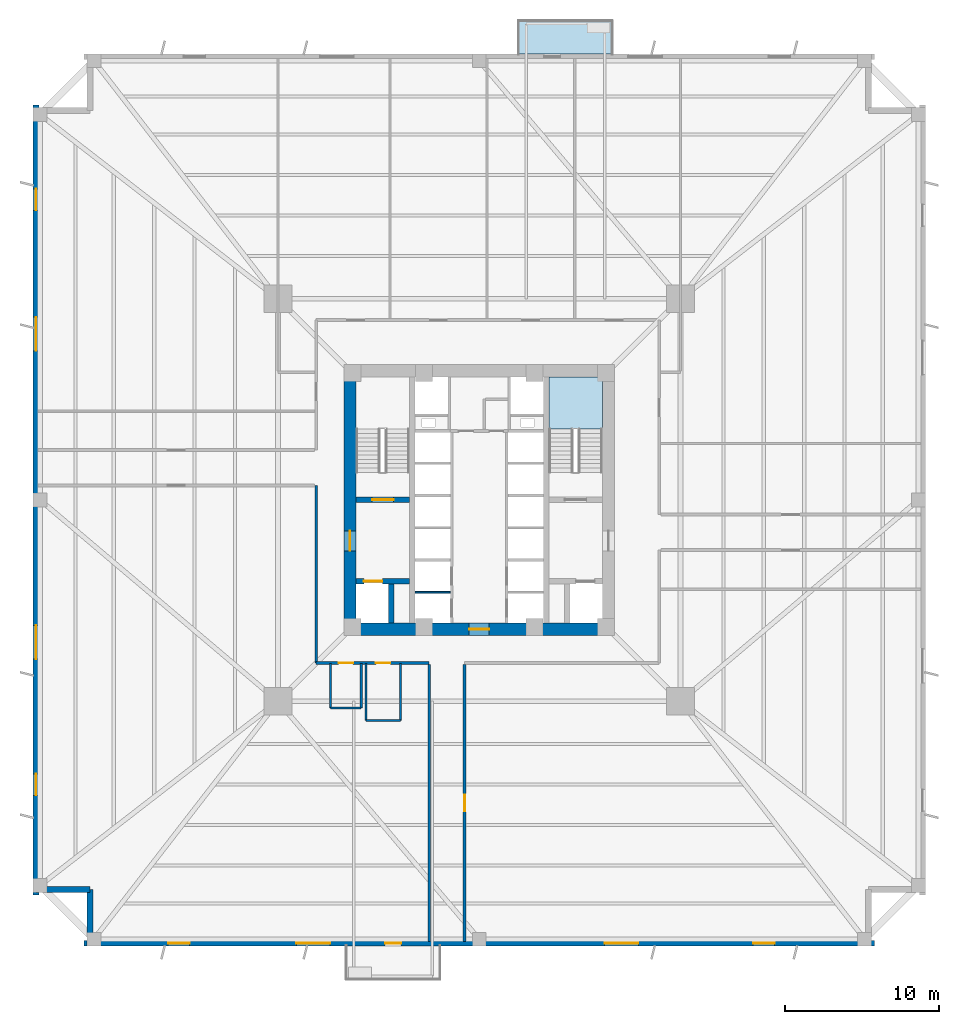
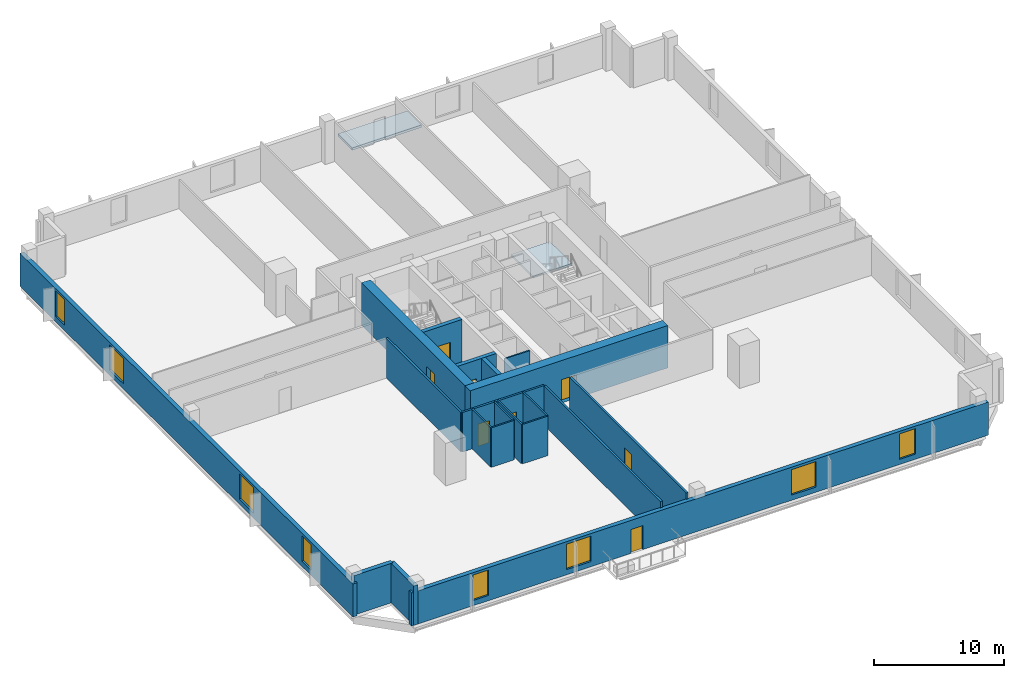
# One storey, part 2 of 8: 20 walls, 8 doors, 8 windows, 2 slabs, 16 openings, 1 element without a shape of its own.
"""IFC4 building model written with IfcOpenShell, lengths in metres."""

from ifc_helpers import new_model, si_unit, direction, frame, frame_2d, origin, place, context, subcontext, project, spatial, polyline, rectangle, outline, extrude, source, transform, mapped, material, layer, layer_set, type_object, element, fill, aggregate, save


model = new_model("IFC4")

# Units and contexts
model_context = context("Model", 3, precision=1e-05, world=origin(), true_north=direction((0.0, 1.0)))
body_context = subcontext(model_context, "Body", "Model", "MODEL_VIEW")
ifc_project = project(units=[si_unit("LENGTHUNIT", "METRE"), si_unit("AREAUNIT", "SQUARE_METRE"), si_unit("VOLUMEUNIT", "CUBIC_METRE"), si_unit("PLANEANGLEUNIT", "RADIAN"), si_unit("MASSUNIT", "GRAM", prefix="KILO"), si_unit("THERMODYNAMICTEMPERATUREUNIT", "KELVIN")], contexts=[model_context])

# Site, building, storey
site_placement = place(None, origin())
site = spatial("IfcSite", under=ifc_project, at=site_placement, CompositionType="ELEMENT")
building_placement = place(site_placement, origin())
building = spatial("IfcBuilding", under=site, at=building_placement, Name="Kosmvard Interchange Tower", CompositionType="ELEMENT")
storey_placement = place(building_placement, frame((0.0, 0.0, 42.0)))
storey = spatial("IfcBuildingStorey", under=building, at=storey_placement, Name="L09", CompositionType="ELEMENT", Elevation=42.0)

# Stair, slab
ifc_material_1 = material(Name="Concrete C50/60", Category="concrete")
stair_type = type_object("IfcStairType", Name="Dog-Leg Core Exit Stair H4000 C50/60", PredefinedType="HALF_TURN_STAIR", material=ifc_material_1)
stair_placement = place(storey_placement, origin())
stair = element("IfcStair", 1, at=stair_placement, inside=storey, type_object=stair_type, Name="L09 Protected Exit Stair ST-2", PredefinedType="HALF_TURN_STAIR")
ifc_layer_1 = layer(ifc_material_1, 0.199951171875, Name="Concrete C50/60")
ifc_layer_set_1 = layer_set([ifc_layer_1], Name="Concrete C50/60")
slab_type_1 = type_object("IfcSlabType", Name="Stair Half-Landing Slab 200 C50/60", PredefinedType="LANDING", material=ifc_layer_set_1)
slab_1_placement = place(storey_placement, frame((0.0, 0.0, 1.800048828125)))
slab_1 = element("IfcSlab", 2, at=slab_1_placement, type_object=slab_type_1, Name="ST-2 landing 1", PredefinedType="LANDING", context=body_context, shape_type="SweptSolid", body=[
    extrude(outline(polyline([(8.0, 4.60009765625), (8.0, 8.0), (4.5400390625, 8.0), (4.5400390625, 4.60009765625), (8.0, 4.60009765625)])), origin(), (0.0, 0.0, 1.0), 0.199951171875),
])
aggregate(stair, [slab_1])

# Slab
ifc_layer_2 = layer(ifc_material_1, 0.22998046875, Name="Concrete C50/60")
ifc_layer_set_2 = layer_set([ifc_layer_2], Name="Concrete C50/60")
slab_type_2 = type_object("IfcSlabType", Name="Tree-Planter Cantilever Balcony Slab 230 C50/60", PredefinedType="FLOOR", material=ifc_layer_set_2)
slab_2_placement = place(storey_placement, frame((0.0, 0.0, -0.22998046875)))
element("IfcSlab", 3, at=slab_2_placement, inside=storey, type_object=slab_type_2, Name="L09 Outdoor Terrace Balcony Slab BAL-L09-N", PredefinedType="FLOOR", context=body_context, shape_type="SweptSolid", body=[
    extrude(outline(polyline([(2.5, 29.0), (8.699951171875, 29.0), (8.699951171875, 31.199951171875), (2.5, 31.199951171875), (2.5, 29.0)])), origin(), (0.0, 0.0, 1.0), 0.22998046875),
])

# Wall, openings, doors
ifc_material_2 = material(Name="Fire-rated gypsum partition system")
ifc_layer_3 = layer(ifc_material_2, 0.179931640625, Name="Fire-rated gypsum partition system")
ifc_layer_set_3 = layer_set([ifc_layer_3], Name="Fire-rated gypsum partition system")
wall_type_1 = type_object("IfcWallType", Name="Corridor & Hotel Compartment Partition 180", PredefinedType="PARTITIONING", material=ifc_layer_set_3)
wall_1_placement = place(storey_placement, frame((-10.60009765625, -10.60009765625, 0.0), z_axis=(0.0, 0.0, 1.0), x_axis=(1.0, 0.0, 0.0)))
wall_1 = element("IfcWall", 4, at=wall_1_placement, inside=storey, type_object=wall_type_1, Name="L09 Corridor Wall CSW", PredefinedType="PARTITIONING", context=body_context, shape_type="SweptSolid", body=[
    extrude(rectangle(XDim=7.35009765625, YDim=0.179931640625, at=frame_2d((3.675048828125, 0.0))), origin(), (0.0, 0.0, 1.0), 3.719970703125),
])
opening_1_placement = place(wall_1_placement, frame((1.455078125, 0.0, 0.0)))
opening_1 = element("IfcOpeningElement", 5, at=opening_1_placement, cuts=wall_1, Name="Opening L09-D01", PredefinedType="OPENING", context=body_context, shape_type="SweptSolid", body=[
    extrude(rectangle(XDim=0.949951171875, YDim=2.10009765625, at=frame_2d((0.47509765625, 1.050048828125))), frame((0.0, 0.10009765625, 0.0), z_axis=(0.0, -1.0, 0.0), x_axis=(1.0, 0.0, 0.0)), (0.0, 0.0, 1.0), 0.199951171875),
])
opening_2_placement = place(wall_1_placement, frame((3.879150390625, 0.0, 0.0)))
opening_2 = element("IfcOpeningElement", 6, at=opening_2_placement, cuts=wall_1, Name="Opening L09-D02", PredefinedType="OPENING", context=body_context, shape_type="SweptSolid", body=[
    extrude(rectangle(XDim=0.949951171875, YDim=2.10009765625, at=frame_2d((0.47509765625, 1.050048828125))), frame((0.0, 0.10009765625, 0.0), z_axis=(0.0, -1.0, 0.0), x_axis=(1.0, 0.0, 0.0)), (0.0, 0.0, 1.0), 0.199951171875),
])
ifc_material_3 = material(Name="Laminated moisture-resistant timber", Category="wood")
door_type_1 = type_object("IfcDoorType", Name="Accessible Washroom Door 950x2100", OperationType="NOTDEFINED", PredefinedType="DOOR", material=ifc_material_3)
shared_shape_1 = source(origin(), body_context, "Body", "SweptSolid", [
    extrude(rectangle(XDim=0.949951171875, YDim=2.10009765625, at=frame_2d((0.47509765625, 1.050048828125))), frame((0.0, 0.02490234375, 0.0), z_axis=(0.0, -1.0, 0.0), x_axis=(1.0, 0.0, 0.0)), (0.0, 0.0, 1.0), 0.050048828125),
])
door_1_placement = place(opening_1_placement, frame((0.949951171875, 0.0, 0.0), z_axis=(0.0, 0.0, 1.0), x_axis=(-1.0, 0.0, 0.0)))
door_1 = element("IfcDoor", 7, at=door_1_placement, inside=storey, type_object=door_type_1, Name="L09 Accessible Toilet Door", OperationType="SINGLE_SWING_LEFT", OverallHeight=2.10009765625, OverallWidth=0.949951171875, PredefinedType="DOOR", context=body_context, shape_type="MappedRepresentation", body=[
    mapped(shared_shape_1, transform((0.0, 0.0, 0.0), scale=1.0)),
])
fill(opening_1, door_1)
door_2_placement = place(opening_2_placement, frame((0.949951171875, 0.0, 0.0), z_axis=(0.0, 0.0, 1.0), x_axis=(-1.0, 0.0, 0.0)))
door_2 = element("IfcDoor", 8, at=door_2_placement, inside=storey, type_object=door_type_1, Name="L09 Public Floor Washroom Door", OperationType="SINGLE_SWING_RIGHT", OverallHeight=2.10009765625, OverallWidth=0.949951171875, PredefinedType="DOOR", context=body_context, shape_type="MappedRepresentation", body=[
    mapped(shared_shape_1, transform((0.0, 0.0, 0.0), scale=1.0)),
])
fill(opening_2, door_2)

# Walls
wall_2_placement = place(storey_placement, frame((-10.60009765625, -10.60009765625, 0.0), z_axis=(0.0, 0.0, 1.0), x_axis=(0.0, 1.0, 0.0)))
element("IfcWall", 9, at=wall_2_placement, inside=storey, type_object=wall_type_1, Name="L09 Corridor Wall CWS", PredefinedType="PARTITIONING", context=body_context, shape_type="SweptSolid", body=[
    extrude(rectangle(XDim=11.550048828125, YDim=0.179931640625, at=frame_2d((5.77490234375, 0.0))), origin(), (0.0, 0.0, 1.0), 3.719970703125),
])
wall_3_placement = place(storey_placement, frame((-3.25, -28.68505859375, 0.0), z_axis=(0.0, 0.0, 1.0), x_axis=(0.0, 1.0, 0.0)))
element("IfcWall", 10, at=wall_3_placement, inside=storey, type_object=wall_type_1, Name="L09 Corridor Wall SSW", PredefinedType="PARTITIONING", context=body_context, shape_type="SweptSolid", body=[
    extrude(rectangle(XDim=17.985107421875, YDim=0.179931640625, at=frame_2d((8.99267578125, 0.0))), origin(), (0.0, 0.0, 1.0), 3.719970703125),
])

# Wall, opening, door
wall_4_placement = place(storey_placement, frame((-0.949951171875, -28.68505859375, 0.0), z_axis=(0.0, 0.0, 1.0), x_axis=(0.0, 1.0, 0.0)))
wall_4 = element("IfcWall", 11, at=wall_4_placement, inside=storey, type_object=wall_type_1, Name="L09 Corridor Wall SSE", PredefinedType="PARTITIONING", context=body_context, shape_type="SweptSolid", body=[
    extrude(rectangle(XDim=17.985107421875, YDim=0.179931640625, at=frame_2d((8.99267578125, 0.0))), origin(), (0.0, 0.0, 1.0), 3.719970703125),
])
opening_3_placement = place(wall_4_placement, frame((8.4423828125, 0.0, 0.0)))
opening_3 = element("IfcOpeningElement", 12, at=opening_3_placement, cuts=wall_4, Name="Opening L09-D12", PredefinedType="OPENING", context=body_context, shape_type="SweptSolid", body=[
    extrude(rectangle(XDim=1.10009765625, YDim=2.199951171875, at=frame_2d((0.550048828125, 1.10009765625))), frame((0.0, 0.10009765625, 0.0), z_axis=(0.0, -1.0, 0.0), x_axis=(1.0, 0.0, 0.0)), (0.0, 0.0, 1.0), 0.199951171875),
])
ifc_material_4 = material(Name="Engineered oak fire-rated timber", Category="wood")
door_type_2 = type_object("IfcDoorType", Name="Office Suite Entrance Door 1100x2200 FD30S", OperationType="NOTDEFINED", PredefinedType="DOOR", material=ifc_material_4)
shared_shape_2 = source(origin(), body_context, "Body", "SweptSolid", [
    extrude(rectangle(XDim=1.10009765625, YDim=2.199951171875, at=frame_2d((0.550048828125, 1.10009765625))), frame((0.0, 0.02490234375, 0.0), z_axis=(0.0, -1.0, 0.0), x_axis=(1.0, 0.0, 0.0)), (0.0, 0.0, 1.0), 0.050048828125),
])
door_3_placement = place(opening_3_placement, frame((1.10009765625, 0.0, 0.0), z_axis=(0.0, 0.0, 1.0), x_axis=(-1.0, 0.0, 0.0)))
door_3 = element("IfcDoor", 13, at=door_3_placement, inside=storey, type_object=door_type_2, Name="L09 South-East Open Studio Door", OperationType="SINGLE_SWING_RIGHT", OverallHeight=2.199951171875, OverallWidth=1.10009765625, PredefinedType="DOOR", context=body_context, shape_type="MappedRepresentation", body=[
    mapped(shared_shape_2, transform((0.0, 0.0, 0.0), scale=1.0)),
])
fill(opening_3, door_3)

ifc_material_5 = material(Name="Concrete C80/95", Category="concrete")
ifc_layer_4 = layer(ifc_material_5, 0.800048828125, Name="Concrete C80/95")
ifc_layer_set_4 = layer_set([ifc_layer_4], Name="Concrete C80/95")
wall_type_2 = type_object("IfcWallType", Name="Lower Core Shear Wall 800 C80/95", PredefinedType="SHEAR", material=ifc_layer_set_4)
wall_5_placement = place(storey_placement, frame((-8.800048828125, -8.39990234375, 0.0), z_axis=(0.0, 0.0, 1.0), x_axis=(1.0, 0.0, 0.0)))
wall_5 = element("IfcWall", 14, at=wall_5_placement, inside=storey, type_object=wall_type_2, Name="L09 Core Shear Wall CW-S", PredefinedType="SHEAR", context=body_context, shape_type="SweptSolid", body=[
    extrude(rectangle(XDim=17.60009765625, YDim=0.800048828125, at=frame_2d((8.800048828125, 0.0))), origin(), (0.0, 0.0, 1.0), 4.0),
])
opening_4_placement = place(wall_5_placement, frame((8.14990234375, 0.0, 0.0)))
opening_4 = element("IfcOpeningElement", 15, at=opening_4_placement, cuts=wall_5, Name="Opening L09-LD0", PredefinedType="OPENING", context=body_context, shape_type="SweptSolid", body=[
    extrude(rectangle(XDim=1.300048828125, YDim=2.199951171875, at=frame_2d((0.64990234375, 1.10009765625))), frame((0.0, 0.41015625, 0.0), z_axis=(0.0, -1.0, 0.0), x_axis=(1.0, 0.0, 0.0)), (0.0, 0.0, 1.0), 0.820068359375),
])
ifc_material_6 = material(Name="Painted fire-rated steel leaf", Category="steel")
door_type_3 = type_object("IfcDoorType", Name="Firefighting Lobby Door 1300x2200 EI60", OperationType="NOTDEFINED", PredefinedType="DOOR", material=ifc_material_6)
shared_shape_3 = source(origin(), body_context, "Body", "SweptSolid", [
    extrude(rectangle(XDim=1.300048828125, YDim=2.199951171875, at=frame_2d((0.64990234375, 1.10009765625))), frame((0.0, 0.02490234375, 0.0), z_axis=(0.0, -1.0, 0.0), x_axis=(1.0, 0.0, 0.0)), (0.0, 0.0, 1.0), 0.050048828125),
])
door_4_placement = place(opening_4_placement, frame((1.300048828125, 0.0, 0.0), z_axis=(0.0, 0.0, 1.0), x_axis=(-1.0, 0.0, 0.0)))
door_4 = element("IfcDoor", 16, at=door_4_placement, inside=storey, type_object=door_type_3, Name="L09 Passenger Lift Lobby South Door", OperationType="SINGLE_SWING_RIGHT", OverallHeight=2.199951171875, OverallWidth=1.300048828125, PredefinedType="DOOR", context=body_context, shape_type="MappedRepresentation", body=[
    mapped(shared_shape_3, transform((0.0, 0.0, 0.0), scale=1.0)),
])
fill(opening_4, door_4)

wall_6_placement = place(storey_placement, frame((-8.39990234375, -8.0, 0.0), z_axis=(0.0, 0.0, 1.0), x_axis=(0.0, 1.0, 0.0)))
wall_6 = element("IfcWall", 17, at=wall_6_placement, inside=storey, type_object=wall_type_2, Name="L09 Core Shear Wall CW-W", PredefinedType="SHEAR", context=body_context, shape_type="SweptSolid", body=[
    extrude(rectangle(XDim=16.0, YDim=0.800048828125, at=frame_2d((8.0, 0.0))), origin(), (0.0, 0.0, 1.0), 4.0),
])
opening_5_placement = place(wall_6_placement, frame((4.68994140625, 0.0, 0.0)))
opening_5 = element("IfcOpeningElement", 18, at=opening_5_placement, cuts=wall_6, Name="Opening L09-FD1", PredefinedType="OPENING", context=body_context, shape_type="SweptSolid", body=[
    extrude(rectangle(XDim=1.300048828125, YDim=2.199951171875, at=frame_2d((0.64990234375, 1.10009765625))), frame((0.0, 0.41015625, 0.0), z_axis=(0.0, -1.0, 0.0), x_axis=(1.0, 0.0, 0.0)), (0.0, 0.0, 1.0), 0.820068359375),
])
door_5_placement = place(opening_5_placement, frame((1.300048828125, 0.0, 0.0), z_axis=(0.0, 0.0, 1.0), x_axis=(-1.0, 0.0, 0.0)))
door_5 = element("IfcDoor", 19, at=door_5_placement, inside=storey, type_object=door_type_3, Name="L09 Firefighting Lobby West Door", OperationType="SINGLE_SWING_LEFT", OverallHeight=2.199951171875, OverallWidth=1.300048828125, PredefinedType="DOOR", context=body_context, shape_type="MappedRepresentation", body=[
    mapped(shared_shape_3, transform((0.0, 0.0, 0.0), scale=1.0)),
])
fill(opening_5, door_5)

# Wall, openings, door, windows
ifc_material_7 = material(Name="Precast concrete C45/55", Category="concrete")
ifc_layer_5 = layer(ifc_material_7, 0.3798828125, Name="Precast concrete C45/55")
ifc_layer_set_5 = layer_set([ifc_layer_5], Name="Precast concrete C45/55")
wall_type_3 = type_object("IfcWallType", Name="Lower Tower Precast Pier Wall 380 C45/55", PredefinedType="STANDARD", material=ifc_layer_set_5)
wall_7_placement = place(storey_placement, frame((-25.68994140625, -28.81005859375, 0.0), z_axis=(0.0, 0.0, 1.0), x_axis=(1.0, 0.0, 0.0)))
wall_7 = element("IfcWall", 20, at=wall_7_placement, inside=storey, type_object=wall_type_3, Name="L09 Precast Facade Wall F-S", PredefinedType="STANDARD", context=body_context, shape_type="SweptSolid", body=[
    extrude(rectangle(XDim=51.3798828125, YDim=0.3798828125, at=frame_2d((25.68994140625, 0.0))), origin(), (0.0, 0.0, 1.0), 3.1201171875),
])
opening_6_placement = place(wall_7_placement, frame((19.56494140625, 0.0, 0.0)))
opening_6 = element("IfcOpeningElement", 21, at=opening_6_placement, cuts=wall_7, Name="Opening L09-BDS", PredefinedType="OPENING", context=body_context, shape_type="SweptSolid", body=[
    extrude(rectangle(XDim=1.050048828125, YDim=2.25, at=frame_2d((0.52490234375, 1.125))), frame((0.0, 0.199951171875, 0.0), z_axis=(0.0, -1.0, 0.0), x_axis=(1.0, 0.0, 0.0)), (0.0, 0.0, 1.0), 0.39990234375),
])
opening_7_placement = place(wall_7_placement, frame((5.465576171875, 0.0, 0.489990234375)))
opening_7 = element("IfcOpeningElement", 22, at=opening_7_placement, cuts=wall_7, Name="Opening L09-W01", PredefinedType="OPENING", context=body_context, shape_type="SweptSolid", body=[
    extrude(rectangle(XDim=1.39990234375, YDim=2.39990234375, at=frame_2d((0.699951171875, 1.199951171875))), frame((0.0, 0.199951171875, 0.0), z_axis=(0.0, -1.0, 0.0), x_axis=(1.0, 0.0, 0.0)), (0.0, 0.0, 1.0), 0.39990234375),
])
opening_8_placement = place(wall_7_placement, frame((13.80029296875, 0.0, 0.489990234375)))
opening_8 = element("IfcOpeningElement", 23, at=opening_8_placement, cuts=wall_7, Name="Opening L09-W02", PredefinedType="OPENING", context=body_context, shape_type="SweptSolid", body=[
    extrude(rectangle(XDim=2.199951171875, YDim=2.39990234375, at=frame_2d((1.10009765625, 1.199951171875))), frame((0.0, 0.199951171875, 0.0), z_axis=(0.0, -1.0, 0.0), x_axis=(1.0, 0.0, 0.0)), (0.0, 0.0, 1.0), 0.39990234375),
])
opening_9_placement = place(wall_7_placement, frame((33.83837890625, 0.0, 0.489990234375)))
opening_9 = element("IfcOpeningElement", 24, at=opening_9_placement, cuts=wall_7, Name="Opening L09-W03", PredefinedType="OPENING", context=body_context, shape_type="SweptSolid", body=[
    extrude(rectangle(XDim=2.199951171875, YDim=2.39990234375, at=frame_2d((1.10009765625, 1.199951171875))), frame((0.0, 0.199951171875, 0.0), z_axis=(0.0, -1.0, 0.0), x_axis=(1.0, 0.0, 0.0)), (0.0, 0.0, 1.0), 0.39990234375),
])
opening_10_placement = place(wall_7_placement, frame((43.48681640625, 0.0, 0.489990234375)))
opening_10 = element("IfcOpeningElement", 25, at=opening_10_placement, cuts=wall_7, Name="Opening L09-W04", PredefinedType="OPENING", context=body_context, shape_type="SweptSolid", body=[
    extrude(rectangle(XDim=1.39990234375, YDim=2.39990234375, at=frame_2d((0.699951171875, 1.199951171875))), frame((0.0, 0.199951171875, 0.0), z_axis=(0.0, -1.0, 0.0), x_axis=(1.0, 0.0, 0.0)), (0.0, 0.0, 1.0), 0.39990234375),
])
ifc_material_8 = material(Name="Anodised aluminium and safety glass", Category="aluminium")
door_type_4 = type_object("IfcDoorType", Name="Tree-Balcony Glazed Door 1050x2250", OperationType="NOTDEFINED", PredefinedType="DOOR", material=ifc_material_8)
shared_shape_4 = source(origin(), body_context, "Body", "SweptSolid", [
    extrude(rectangle(XDim=1.050048828125, YDim=2.25, at=frame_2d((0.52490234375, 1.125))), frame((0.0, 0.02490234375, 0.0), z_axis=(0.0, -1.0, 0.0), x_axis=(1.0, 0.0, 0.0)), (0.0, 0.0, 1.0), 0.050048828125),
])
door_6_placement = place(opening_6_placement, origin())
door_6 = element("IfcDoor", 26, at=door_6_placement, inside=storey, type_object=door_type_4, Name="L09 Tree-Balcony Door BAL-L09-S", OperationType="SINGLE_SWING_RIGHT", OverallHeight=2.25, OverallWidth=1.050048828125, PredefinedType="DOOR", context=body_context, shape_type="MappedRepresentation", body=[
    mapped(shared_shape_4, transform((0.0, 0.0, 0.0), scale=1.0)),
])
fill(opening_6, door_6)
ifc_material_9 = material(Name="Low-E solar-control double glazing", Category="glass")
window_type_1 = type_object("IfcWindowType", Name="Notched Corner Feature Window 1400x2400", PartitioningType="SINGLE_PANEL", PredefinedType="WINDOW", material=ifc_material_9)
shared_shape_5 = source(origin(), body_context, "Body", "SweptSolid", [
    extrude(rectangle(XDim=1.39990234375, YDim=2.39990234375, at=frame_2d((0.699951171875, 1.199951171875))), frame((0.0, 0.030029296875, 0.0), z_axis=(0.0, -1.0, 0.0), x_axis=(1.0, 0.0, 0.0)), (0.0, 0.0, 1.0), 0.06005859375),
])
window_1_placement = place(opening_7_placement, origin())
window_1 = element("IfcWindow", 27, at=window_1_placement, inside=storey, type_object=window_type_1, Name="L09 Facade Punched Window 01", OverallHeight=2.39990234375, OverallWidth=1.39990234375, PartitioningType="SINGLE_PANEL", PredefinedType="WINDOW", context=body_context, shape_type="MappedRepresentation", body=[
    mapped(shared_shape_5, transform((0.0, 0.0, 0.0), scale=1.0)),
])
fill(opening_7, window_1)
window_2_placement = place(opening_10_placement, origin())
window_2 = element("IfcWindow", 28, at=window_2_placement, inside=storey, type_object=window_type_1, Name="L09 Facade Punched Window 04", OverallHeight=2.39990234375, OverallWidth=1.39990234375, PartitioningType="SINGLE_PANEL", PredefinedType="WINDOW", context=body_context, shape_type="MappedRepresentation", body=[
    mapped(shared_shape_5, transform((0.0, 0.0, 0.0), scale=1.0)),
])
fill(opening_10, window_2)
window_type_2 = type_object("IfcWindowType", Name="Zone 1 Office Punched Window 2200x2400", PartitioningType="SINGLE_PANEL", PredefinedType="WINDOW", material=ifc_material_9)
shared_shape_6 = source(origin(), body_context, "Body", "SweptSolid", [
    extrude(rectangle(XDim=2.199951171875, YDim=2.39990234375, at=frame_2d((1.10009765625, 1.199951171875))), frame((0.0, 0.030029296875, 0.0), z_axis=(0.0, -1.0, 0.0), x_axis=(1.0, 0.0, 0.0)), (0.0, 0.0, 1.0), 0.06005859375),
])
window_3_placement = place(opening_8_placement, origin())
window_3 = element("IfcWindow", 29, at=window_3_placement, inside=storey, type_object=window_type_2, Name="L09 Facade Punched Window 02", OverallHeight=2.39990234375, OverallWidth=2.199951171875, PartitioningType="SINGLE_PANEL", PredefinedType="WINDOW", context=body_context, shape_type="MappedRepresentation", body=[
    mapped(shared_shape_6, transform((0.0, 0.0, 0.0), scale=1.0)),
])
fill(opening_8, window_3)
window_4_placement = place(opening_9_placement, origin())
window_4 = element("IfcWindow", 30, at=window_4_placement, inside=storey, type_object=window_type_2, Name="L09 Facade Punched Window 03", OverallHeight=2.39990234375, OverallWidth=2.199951171875, PartitioningType="SINGLE_PANEL", PredefinedType="WINDOW", context=body_context, shape_type="MappedRepresentation", body=[
    mapped(shared_shape_6, transform((0.0, 0.0, 0.0), scale=1.0)),
])
fill(opening_9, window_4)

# Wall, openings, windows
wall_8_placement = place(storey_placement, frame((-28.81005859375, 25.68994140625, 0.0), z_axis=(0.0, 0.0, 1.0), x_axis=(0.0, -1.0, 0.0)))
wall_8 = element("IfcWall", 31, at=wall_8_placement, inside=storey, type_object=wall_type_3, Name="L09 Precast Facade Wall F-W", PredefinedType="STANDARD", context=body_context, shape_type="SweptSolid", body=[
    extrude(rectangle(XDim=51.3798828125, YDim=0.3798828125, at=frame_2d((25.68994140625, 0.0))), origin(), (0.0, 0.0, 1.0), 3.1201171875),
])
opening_11_placement = place(wall_8_placement, frame((5.465576171875, 0.0, 0.489990234375)))
opening_11 = element("IfcOpeningElement", 32, at=opening_11_placement, cuts=wall_8, Name="Opening L09-W13", PredefinedType="OPENING", context=body_context, shape_type="SweptSolid", body=[
    extrude(rectangle(XDim=1.39990234375, YDim=2.39990234375, at=frame_2d((0.699951171875, 1.199951171875))), frame((0.0, 0.199951171875, 0.0), z_axis=(0.0, -1.0, 0.0), x_axis=(1.0, 0.0, 0.0)), (0.0, 0.0, 1.0), 0.39990234375),
])
opening_12_placement = place(wall_8_placement, frame((13.80029296875, 0.0, 0.489990234375)))
opening_12 = element("IfcOpeningElement", 33, at=opening_12_placement, cuts=wall_8, Name="Opening L09-W14", PredefinedType="OPENING", context=body_context, shape_type="SweptSolid", body=[
    extrude(rectangle(XDim=2.199951171875, YDim=2.39990234375, at=frame_2d((1.10009765625, 1.199951171875))), frame((0.0, 0.199951171875, 0.0), z_axis=(0.0, -1.0, 0.0), x_axis=(1.0, 0.0, 0.0)), (0.0, 0.0, 1.0), 0.39990234375),
])
opening_13_placement = place(wall_8_placement, frame((33.83837890625, 0.0, 0.489990234375)))
opening_13 = element("IfcOpeningElement", 34, at=opening_13_placement, cuts=wall_8, Name="Opening L09-W15", PredefinedType="OPENING", context=body_context, shape_type="SweptSolid", body=[
    extrude(rectangle(XDim=2.199951171875, YDim=2.39990234375, at=frame_2d((1.10009765625, 1.199951171875))), frame((0.0, 0.199951171875, 0.0), z_axis=(0.0, -1.0, 0.0), x_axis=(1.0, 0.0, 0.0)), (0.0, 0.0, 1.0), 0.39990234375),
])
opening_14_placement = place(wall_8_placement, frame((43.48681640625, 0.0, 0.489990234375)))
opening_14 = element("IfcOpeningElement", 35, at=opening_14_placement, cuts=wall_8, Name="Opening L09-W16", PredefinedType="OPENING", context=body_context, shape_type="SweptSolid", body=[
    extrude(rectangle(XDim=1.39990234375, YDim=2.39990234375, at=frame_2d((0.699951171875, 1.199951171875))), frame((0.0, 0.199951171875, 0.0), z_axis=(0.0, -1.0, 0.0), x_axis=(1.0, 0.0, 0.0)), (0.0, 0.0, 1.0), 0.39990234375),
])
window_5_placement = place(opening_11_placement, origin())
window_5 = element("IfcWindow", 36, at=window_5_placement, inside=storey, type_object=window_type_1, Name="L09 Facade Punched Window 13", OverallHeight=2.39990234375, OverallWidth=1.39990234375, PartitioningType="SINGLE_PANEL", PredefinedType="WINDOW", context=body_context, shape_type="MappedRepresentation", body=[
    mapped(shared_shape_5, transform((0.0, 0.0, 0.0), scale=1.0)),
])
fill(opening_11, window_5)
window_6_placement = place(opening_14_placement, origin())
window_6 = element("IfcWindow", 37, at=window_6_placement, inside=storey, type_object=window_type_1, Name="L09 Facade Punched Window 16", OverallHeight=2.39990234375, OverallWidth=1.39990234375, PartitioningType="SINGLE_PANEL", PredefinedType="WINDOW", context=body_context, shape_type="MappedRepresentation", body=[
    mapped(shared_shape_5, transform((0.0, 0.0, 0.0), scale=1.0)),
])
fill(opening_14, window_6)
window_7_placement = place(opening_12_placement, origin())
window_7 = element("IfcWindow", 38, at=window_7_placement, inside=storey, type_object=window_type_2, Name="L09 Facade Punched Window 14", OverallHeight=2.39990234375, OverallWidth=2.199951171875, PartitioningType="SINGLE_PANEL", PredefinedType="WINDOW", context=body_context, shape_type="MappedRepresentation", body=[
    mapped(shared_shape_6, transform((0.0, 0.0, 0.0), scale=1.0)),
])
fill(opening_12, window_7)
window_8_placement = place(opening_13_placement, origin())
window_8 = element("IfcWindow", 39, at=window_8_placement, inside=storey, type_object=window_type_2, Name="L09 Facade Punched Window 15", OverallHeight=2.39990234375, OverallWidth=2.199951171875, PartitioningType="SINGLE_PANEL", PredefinedType="WINDOW", context=body_context, shape_type="MappedRepresentation", body=[
    mapped(shared_shape_6, transform((0.0, 0.0, 0.0), scale=1.0)),
])
fill(opening_13, window_8)

# Walls
wall_9_placement = place(storey_placement, frame((-28.81005859375, -25.31005859375, 0.0), z_axis=(0.0, 0.0, 1.0), x_axis=(1.0, 0.0, 0.0)))
element("IfcWall", 40, at=wall_9_placement, inside=storey, type_object=wall_type_3, Name="L09 Precast Facade Wall N-SW1", PredefinedType="STANDARD", context=body_context, shape_type="SweptSolid", body=[
    extrude(rectangle(XDim=3.5, YDim=0.3798828125, at=frame_2d((1.75, 0.0))), origin(), (0.0, 0.0, 1.0), 3.719970703125),
])
wall_10_placement = place(storey_placement, frame((-25.31005859375, -25.31005859375, 0.0), z_axis=(0.0, 0.0, 1.0), x_axis=(0.0, -1.0, 0.0)))
element("IfcWall", 41, at=wall_10_placement, inside=storey, type_object=wall_type_3, Name="L09 Precast Facade Wall N-SW2", PredefinedType="STANDARD", context=body_context, shape_type="SweptSolid", body=[
    extrude(rectangle(XDim=3.68994140625, YDim=0.3798828125, at=frame_2d((1.844970703125, 0.0))), origin(), (0.0, 0.0, 1.0), 3.719970703125),
])
ifc_material_10 = material(Name="Fire-rated gypsum shaftwall system")
ifc_layer_6 = layer(ifc_material_10, 0.1201171875, Name="Fire-rated gypsum shaftwall system")
ifc_layer_set_6 = layer_set([ifc_layer_6], Name="Fire-rated gypsum shaftwall system")
wall_type_4 = type_object("IfcWallType", Name="Shaft & Riser Fire Partition 120 EI60", PredefinedType="PARTITIONING", material=ifc_layer_set_6)
wall_11_placement = place(storey_placement, frame((-4.159912109375, -6.0, 0.0), z_axis=(0.0, 0.0, 1.0), x_axis=(1.0, 0.0, 0.0)))
element("IfcWall", 42, at=wall_11_placement, inside=storey, type_object=wall_type_4, Name="L09 Shaft Divider PL-L1", PredefinedType="PARTITIONING", context=body_context, shape_type="SweptSolid", body=[
    extrude(rectangle(XDim=2.260009765625, YDim=0.1201171875, at=frame_2d((1.1298828125, 0.0))), origin(), (0.0, 0.0, 1.0), 3.719970703125),
])

# Wall, opening, door
ifc_material_11 = material(Name="Concrete C60/75", Category="concrete")
ifc_layer_7 = layer(ifc_material_11, 0.360107421875, Name="Concrete C60/75")
ifc_layer_set_7 = layer_set([ifc_layer_7], Name="Concrete C60/75")
wall_type_5 = type_object("IfcWallType", Name="Stair & Lift Shaft Shear Wall 360 C60/75", PredefinedType="SHEAR", material=ifc_layer_set_7)
wall_12_placement = place(storey_placement, frame((-8.0, 0.02001953125, 0.0), z_axis=(0.0, 0.0, 1.0), x_axis=(1.0, 0.0, 0.0)))
wall_12 = element("IfcWall", 43, at=wall_12_placement, inside=storey, type_object=wall_type_5, Name="L09 Shaft Shear Wall SW-ST1", PredefinedType="SHEAR", context=body_context, shape_type="SweptSolid", body=[
    extrude(rectangle(XDim=3.4599609375, YDim=0.360107421875, at=frame_2d((1.72998046875, 0.0))), origin(), (0.0, 0.0, 1.0), 4.0),
])
opening_15_placement = place(wall_12_placement, frame((1.030029296875, 0.0, 0.0)))
opening_15 = element("IfcOpeningElement", 44, at=opening_15_placement, cuts=wall_12, Name="Opening L09-SD1", PredefinedType="OPENING", context=body_context, shape_type="SweptSolid", body=[
    extrude(rectangle(XDim=1.39990234375, YDim=2.199951171875, at=frame_2d((0.699951171875, 1.10009765625))), frame((0.0, 0.18994140625, 0.0), z_axis=(0.0, -1.0, 0.0), x_axis=(1.0, 0.0, 0.0)), (0.0, 0.0, 1.0), 0.380126953125),
])
door_type_5 = type_object("IfcDoorType", Name="Protected Stair Door 1400x2200 FD60S", OperationType="NOTDEFINED", PredefinedType="DOOR", material=ifc_material_6)
shared_shape_7 = source(origin(), body_context, "Body", "SweptSolid", [
    extrude(rectangle(XDim=1.39990234375, YDim=2.199951171875, at=frame_2d((0.699951171875, 1.10009765625))), frame((0.0, 0.02490234375, 0.0), z_axis=(0.0, -1.0, 0.0), x_axis=(1.0, 0.0, 0.0)), (0.0, 0.0, 1.0), 0.050048828125),
])
door_7_placement = place(opening_15_placement, origin())
door_7 = element("IfcDoor", 45, at=door_7_placement, inside=storey, type_object=door_type_5, Name="L09 Stair ST-1 Enclosure Door", OperationType="SINGLE_SWING_LEFT", OverallHeight=2.199951171875, OverallWidth=1.39990234375, PredefinedType="DOOR", context=body_context, shape_type="MappedRepresentation", body=[
    mapped(shared_shape_7, transform((0.0, 0.0, 0.0), scale=1.0)),
])
fill(opening_15, door_7)

wall_13_placement = place(storey_placement, frame((-8.0, -5.280029296875, 0.0), z_axis=(0.0, 0.0, 1.0), x_axis=(1.0, 0.0, 0.0)))
wall_13 = element("IfcWall", 46, at=wall_13_placement, inside=storey, type_object=wall_type_5, Name="L09 Shaft Shear Wall SW-FF1", PredefinedType="SHEAR", context=body_context, shape_type="SweptSolid", body=[
    extrude(rectangle(XDim=3.4599609375, YDim=0.360107421875, at=frame_2d((1.72998046875, 0.0))), origin(), (0.0, 0.0, 1.0), 4.0),
])
opening_16_placement = place(wall_13_placement, frame((0.5, 0.0, 0.0)))
opening_16 = element("IfcOpeningElement", 47, at=opening_16_placement, cuts=wall_13, Name="Opening LD-FF-1-L09", PredefinedType="OPENING", context=body_context, shape_type="SweptSolid", body=[
    extrude(rectangle(XDim=1.199951171875, YDim=2.25, at=frame_2d((0.60009765625, 1.125))), frame((0.0, 0.18994140625, 0.0), z_axis=(0.0, -1.0, 0.0), x_axis=(1.0, 0.0, 0.0)), (0.0, 0.0, 1.0), 0.380126953125),
])
ifc_material_12 = material(Name="Brushed stainless steel sliding leaf", Category="steel")
door_type_6 = type_object("IfcDoorType", Name="Firefighting Lift Sliding Landing Door 1200x2250 EI120", OperationType="DOUBLE_DOOR_SLIDING", PredefinedType="DOOR", material=ifc_material_12)
shared_shape_8 = source(origin(), body_context, "Body", "SweptSolid", [
    extrude(rectangle(XDim=1.199951171875, YDim=2.25, at=frame_2d((0.60009765625, 1.125))), frame((0.0, 0.02490234375, 0.0), z_axis=(0.0, -1.0, 0.0), x_axis=(1.0, 0.0, 0.0)), (0.0, 0.0, 1.0), 0.050048828125),
])
door_8_placement = place(opening_16_placement, origin())
door_8 = element("IfcDoor", 48, at=door_8_placement, inside=storey, type_object=door_type_6, Name="Lift FF-1 Landing Door L09", OperationType="DOUBLE_DOOR_SLIDING", OverallHeight=2.25, OverallWidth=1.199951171875, PredefinedType="DOOR", context=body_context, shape_type="MappedRepresentation", body=[
    mapped(shared_shape_8, transform((0.0, 0.0, 0.0), scale=1.0)),
])
fill(opening_16, door_8)

# Walls
wall_14_placement = place(storey_placement, frame((-5.7099609375, -8.0, 0.0), z_axis=(0.0, 0.0, 1.0), x_axis=(0.0, 1.0, 0.0)))
element("IfcWall", 49, at=wall_14_placement, inside=storey, type_object=wall_type_5, Name="L09 Shaft Shear Wall SW-SM1", PredefinedType="SHEAR", context=body_context, shape_type="SweptSolid", body=[
    extrude(rectangle(XDim=2.5400390625, YDim=0.360107421875, at=frame_2d((1.27001953125, 0.0))), origin(), (0.0, 0.0, 1.0), 4.0),
])
ifc_material_13 = material(Name="Moisture-resistant gypsum partition")
ifc_layer_8 = layer(ifc_material_13, 0.135009765625, Name="Moisture-resistant gypsum partition")
ifc_layer_set_8 = layer_set([ifc_layer_8], Name="Moisture-resistant gypsum partition")
wall_type_6 = type_object("IfcWallType", Name="Wet Room Moisture-Resistant Partition 135", PredefinedType="PARTITIONING", material=ifc_layer_set_8)
wall_15_placement = place(storey_placement, frame((-9.669921875, -13.52001953125, 0.0), z_axis=(0.0, 0.0, 1.0), x_axis=(1.0, 0.0, 0.0)))
element("IfcWall", 50, at=wall_15_placement, inside=storey, type_object=wall_type_6, Name="L09 Washroom Partition AWC1-S", PredefinedType="PARTITIONING", context=body_context, shape_type="SweptSolid", body=[
    extrude(rectangle(XDim=2.0, YDim=0.135009765625, at=frame_2d((1.0, 0.0))), origin(), (0.0, 0.0, 1.0), 3.719970703125),
])
for number, where, z_axis, x_axis, name in (
    (51, (-7.669921875, -13.52001953125, 0.0), (0.0, 0.0, 1.0), (0.0, 1.0, 0.0), "L09 Washroom Partition AWC1-E"),
    (52, (-9.669921875, -13.52001953125, 0.0), (0.0, 0.0, 1.0), (0.0, 1.0, 0.0), "L09 Washroom Partition AWC1-W"),
):
    element("IfcWall", number, at=place(storey_placement, frame(where, z_axis=z_axis, x_axis=x_axis)), inside=storey, type_object=wall_type_6, Name=name, PredefinedType="PARTITIONING", context=body_context, shape_type="SweptSolid", body=[
        extrude(rectangle(XDim=2.89990234375, YDim=0.135009765625, at=frame_2d((1.449951171875, 0.0))), origin(), (0.0, 0.0, 1.0), 3.719970703125),
    ])
wall_16_placement = place(storey_placement, frame((-7.370849609375, -14.320068359375, 0.0), z_axis=(0.0, 0.0, 1.0), x_axis=(1.0, 0.0, 0.0)))
element("IfcWall", 53, at=wall_16_placement, inside=storey, type_object=wall_type_6, Name="L09 Washroom Partition WC1-S", PredefinedType="PARTITIONING", context=body_context, shape_type="SweptSolid", body=[
    extrude(rectangle(XDim=2.25, YDim=0.135009765625, at=frame_2d((1.125, 0.0))), origin(), (0.0, 0.0, 1.0), 3.719970703125),
])
for number, where, z_axis, x_axis, name in (
    (54, (-5.120849609375, -14.320068359375, 0.0), (0.0, 0.0, 1.0), (0.0, 1.0, 0.0), "L09 Washroom Partition WC1-E"),
    (55, (-7.370849609375, -14.320068359375, 0.0), (0.0, 0.0, 1.0), (0.0, 1.0, 0.0), "L09 Washroom Partition WC1-W"),
):
    element("IfcWall", number, at=place(storey_placement, frame(where, z_axis=z_axis, x_axis=x_axis)), inside=storey, type_object=wall_type_6, Name=name, PredefinedType="PARTITIONING", context=body_context, shape_type="SweptSolid", body=[
        extrude(rectangle(XDim=3.699951171875, YDim=0.135009765625, at=frame_2d((1.85009765625, 0.0))), origin(), (0.0, 0.0, 1.0), 3.719970703125),
    ])

save(model, "model.ifc")
